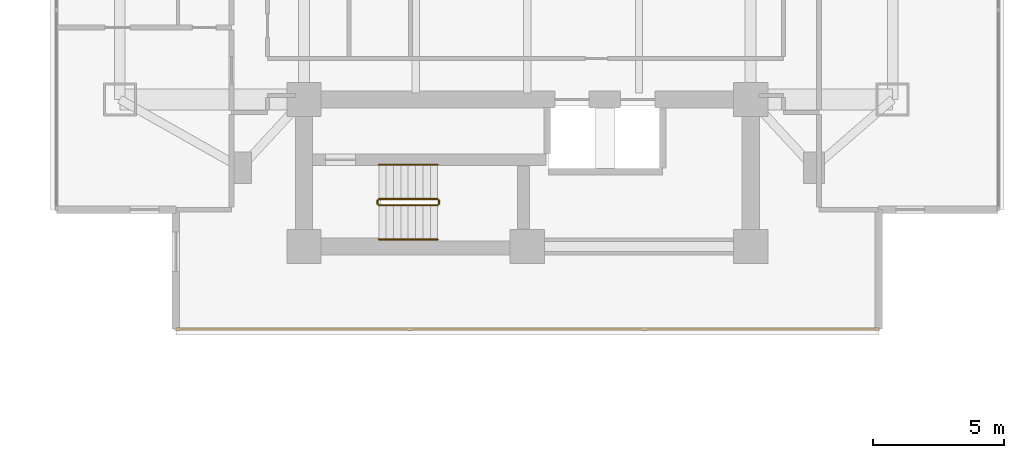
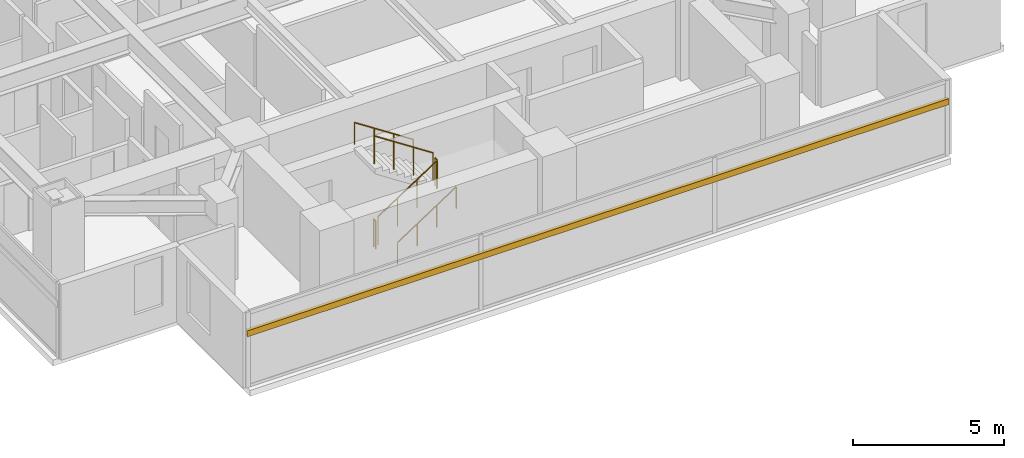
# One storey, part 23 of 25: 6 railings, 1 shading device.
"""IFC4 building model written with IfcOpenShell, lengths in metres."""

from ifc_helpers import new_model, si_unit, direction, frame, origin, origin_2d, place, context, subcontext, project, spatial, rectangle, circle, extrude, material, material_profile, profile_set, type_object, element, save


model = new_model("IFC4")

# Units and contexts
model_context = context("Model", 3, precision=1e-05, world=origin(), true_north=direction((0.0, 1.0)))
body_context = subcontext(model_context, "Body", "Model", "MODEL_VIEW")
ifc_project = project(units=[si_unit("LENGTHUNIT", "METRE"), si_unit("AREAUNIT", "SQUARE_METRE"), si_unit("VOLUMEUNIT", "CUBIC_METRE"), si_unit("PLANEANGLEUNIT", "RADIAN"), si_unit("MASSUNIT", "GRAM", prefix="KILO")], contexts=[model_context])

# Site, building, storey
site_placement = place(None, origin())
site = spatial("IfcSite", under=ifc_project, at=site_placement, CompositionType="ELEMENT")
building_placement = place(site_placement, origin())
building = spatial("IfcBuilding", under=site, at=building_placement, Name="Mirazonda Arch Towers", CompositionType="ELEMENT")
storey_placement = place(building_placement, frame((0.0, 0.0, 58.699951171875)))
storey = spatial("IfcBuildingStorey", under=building, at=storey_placement, Name="L16", CompositionType="ELEMENT", Elevation=58.699951171875)

# Shading device
ifc_material_1 = material(Name="Kiln-Fired Architectural Terracotta", Category="masonry")
ifc_material_profile = material_profile(ifc_material_1, rectangle(XDim=0.1201171875, YDim=0.239990234375, at=origin_2d()), Name="TERRA-BAG-120x240")
ifc_profile_set = profile_set([ifc_material_profile], Name="Kiln-Fired Architectural Terracotta")
shading_device_type = type_object("IfcShadingDeviceType", Name="BAGUETTE-1", PredefinedType="USERDEFINED", material=ifc_profile_set)
shading_device_placement = place(storey_placement, frame((89.8701171875, 12.057373046875, 2.18896484375), z_axis=(-1.0, 0.0, 0.0), x_axis=(0.0, -1.0, 0.0)))
element("IfcShadingDevice", 1, at=shading_device_placement, inside=storey, type_object=shading_device_type, Name="L16 Glazed Terracotta Sun-Screen Baguette CW-L16-T2-S", ObjectType="BAGUETTE", PredefinedType="USERDEFINED", context=body_context, shape_type="SweptSolid", body=[
    extrude(rectangle(XDim=0.1201171875, YDim=0.239990234375, at=origin_2d()), origin(), (0.0, 0.0, 1.0), 26.740234375),
])

# Railings
ifc_material_2 = material(Name="Architectural Brushed Steel S355", Category="steel")
railing_type_1 = type_object("IfcRailingType", Name="GUARD-STAIR-1120", PredefinedType="GUARDRAIL", material=ifc_material_2)
railing_1_placement = place(storey_placement, frame((70.85009765625, 16.77001953125, 0.183349609375)))
element("IfcRailing", 2, at=railing_1_placement, inside=storey, type_object=railing_type_1, Name="L16 ST-T2S stair guard 1", PredefinedType="GUARDRAIL", context=body_context, shape_type="SweptSolid", body=[
    extrude(circle(Radius=0.02392578125, at=origin_2d()), frame((0.0, 0.0, 1.1259765625), z_axis=(0.836595146698, 0.0, 0.547821650285), x_axis=(0.0, 1.0, 0.0)), (0.0, 0.0, 1.0), 2.677490234375),
    extrude(circle(Radius=0.02099609375, at=origin_2d()), origin(), (0.0, 0.0, 1.0), 1.101806640625),
    extrude(circle(Radius=0.02099609375, at=origin_2d()), frame((0.74658203125, 0.0, 0.489013671875)), (0.0, 0.0, 1.0), 1.101806640625),
    extrude(circle(Radius=0.02099609375, at=origin_2d()), frame((1.493408203125, 0.0, 0.977783203125)), (0.0, 0.0, 1.0), 1.101806640625),
    extrude(circle(Radius=0.02099609375, at=origin_2d()), frame((2.239990234375, 0.0, 1.466796875)), (0.0, 0.0, 1.0), 1.101806640625),
])
railing_2_placement = place(storey_placement, frame((73.139892578125, 16.820068359375, 1.650146484375)))
element("IfcRailing", 3, at=railing_2_placement, inside=storey, type_object=railing_type_1, Name="L16 ST-T2S stair guard 2", PredefinedType="GUARDRAIL", context=body_context, shape_type="SweptSolid", body=[
    extrude(circle(Radius=0.02392578125, at=origin_2d()), frame((0.0, 0.0, 1.1259765625), z_axis=(0.0, 1.0, 0.0), x_axis=(-1.0, 0.0, 0.0)), (0.0, 0.0, 1.0), 0.139892578125),
    extrude(circle(Radius=0.02099609375, at=origin_2d()), origin(), (0.0, 0.0, 1.0), 1.101806640625),
    extrude(circle(Radius=0.02099609375, at=origin_2d()), frame((0.0, 0.139892578125, 0.0)), (0.0, 0.0, 1.0), 1.101806640625),
])
railing_3_placement = place(storey_placement, frame((73.090087890625, 17.010009765625, 1.83349609375)))
element("IfcRailing", 4, at=railing_3_placement, inside=storey, type_object=railing_type_1, Name="L16 ST-T2S stair guard 3", PredefinedType="GUARDRAIL", context=body_context, shape_type="SweptSolid", body=[
    extrude(circle(Radius=0.02392578125, at=origin_2d()), frame((0.0, 0.0, 1.1259765625), z_axis=(-0.836636935527, 0.0, 0.547757827979), x_axis=(0.0, -1.0, 0.0)), (0.0, 0.0, 1.0), 2.677490234375),
    extrude(circle(Radius=0.02099609375, at=origin_2d()), origin(), (0.0, 0.0, 1.0), 1.101806640625),
    extrude(circle(Radius=0.02099609375, at=origin_2d()), frame((-0.74658203125, 0.0, 0.48876953125)), (0.0, 0.0, 1.0), 1.101806640625),
    extrude(circle(Radius=0.02099609375, at=origin_2d()), frame((-1.493408203125, 0.0, 0.977783203125)), (0.0, 0.0, 1.0), 1.101806640625),
    extrude(circle(Radius=0.02099609375, at=origin_2d()), frame((-2.239990234375, 0.0, 1.466552734375)), (0.0, 0.0, 1.0), 1.101806640625),
])
railing_4_placement = place(storey_placement, frame((70.800048828125, 16.820068359375, 0.0)))
element("IfcRailing", 5, at=railing_4_placement, inside=storey, type_object=railing_type_1, Name="L16 ST-T2S stair guard 4", PredefinedType="GUARDRAIL", context=body_context, shape_type="SweptSolid", body=[
    extrude(circle(Radius=0.02392578125, at=origin_2d()), frame((0.0, 0.0, 1.1259765625), z_axis=(0.0, 1.0, 0.0), x_axis=(-1.0, 0.0, 0.0)), (0.0, 0.0, 1.0), 0.139892578125),
    extrude(circle(Radius=0.02099609375, at=origin_2d()), origin(), (0.0, 0.0, 1.0), 1.101806640625),
    extrude(circle(Radius=0.02099609375, at=origin_2d()), frame((0.0, 0.139892578125, 0.0)), (0.0, 0.0, 1.0), 1.101806640625),
])
railing_type_2 = type_object("IfcRailingType", Name="HANDRAIL-915", PredefinedType="HANDRAIL", material=ifc_material_2)
railing_5_placement = place(storey_placement, frame((70.85009765625, 15.469970703125, 0.183349609375)))
element("IfcRailing", 6, at=railing_5_placement, inside=storey, type_object=railing_type_2, Name="L16 ST-T2S stair handrail 1", PredefinedType="HANDRAIL", context=body_context, shape_type="SweptSolid", body=[
    extrude(circle(Radius=0.02392578125, at=origin_2d()), frame((0.0, 0.0, 0.8759765625), z_axis=(0.836595146698, 0.0, 0.547821650285), x_axis=(0.0, 1.0, 0.0)), (0.0, 0.0, 1.0), 2.677490234375),
    extrude(circle(Radius=0.02099609375, at=origin_2d()), origin(), (0.0, 0.0, 1.0), 0.851806640625),
    extrude(circle(Radius=0.02099609375, at=origin_2d()), frame((0.74658203125, 0.0, 0.489013671875)), (0.0, 0.0, 1.0), 0.851806640625),
    extrude(circle(Radius=0.02099609375, at=origin_2d()), frame((1.493408203125, 0.0, 0.977783203125)), (0.0, 0.0, 1.0), 0.851806640625),
    extrude(circle(Radius=0.02099609375, at=origin_2d()), frame((2.239990234375, 0.0, 1.466796875)), (0.0, 0.0, 1.0), 0.851806640625),
])
railing_6_placement = place(storey_placement, frame((73.090087890625, 18.31005859375, 1.83349609375)))
element("IfcRailing", 7, at=railing_6_placement, inside=storey, type_object=railing_type_2, Name="L16 ST-T2S stair handrail 2", PredefinedType="HANDRAIL", context=body_context, shape_type="SweptSolid", body=[
    extrude(circle(Radius=0.02392578125, at=origin_2d()), frame((0.0, 0.0, 0.8759765625), z_axis=(-0.836636935527, 0.0, 0.547757827979), x_axis=(0.0, -1.0, 0.0)), (0.0, 0.0, 1.0), 2.677490234375),
    extrude(circle(Radius=0.02099609375, at=origin_2d()), origin(), (0.0, 0.0, 1.0), 0.851806640625),
    extrude(circle(Radius=0.02099609375, at=origin_2d()), frame((-0.74658203125, 0.0, 0.48876953125)), (0.0, 0.0, 1.0), 0.851806640625),
    extrude(circle(Radius=0.02099609375, at=origin_2d()), frame((-1.493408203125, 0.0, 0.977783203125)), (0.0, 0.0, 1.0), 0.851806640625),
    extrude(circle(Radius=0.02099609375, at=origin_2d()), frame((-2.239990234375, 0.0, 1.466552734375)), (0.0, 0.0, 1.0), 0.851806640625),
])

save(model, "model.ifc")
